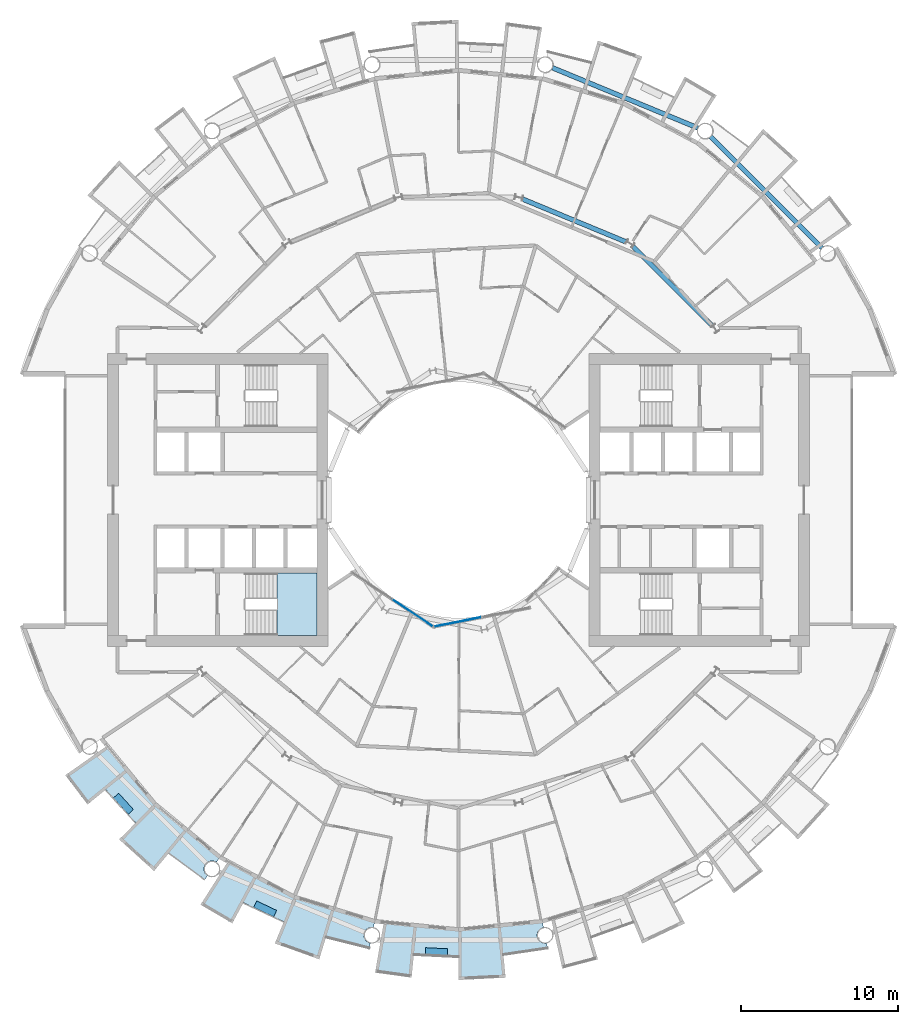
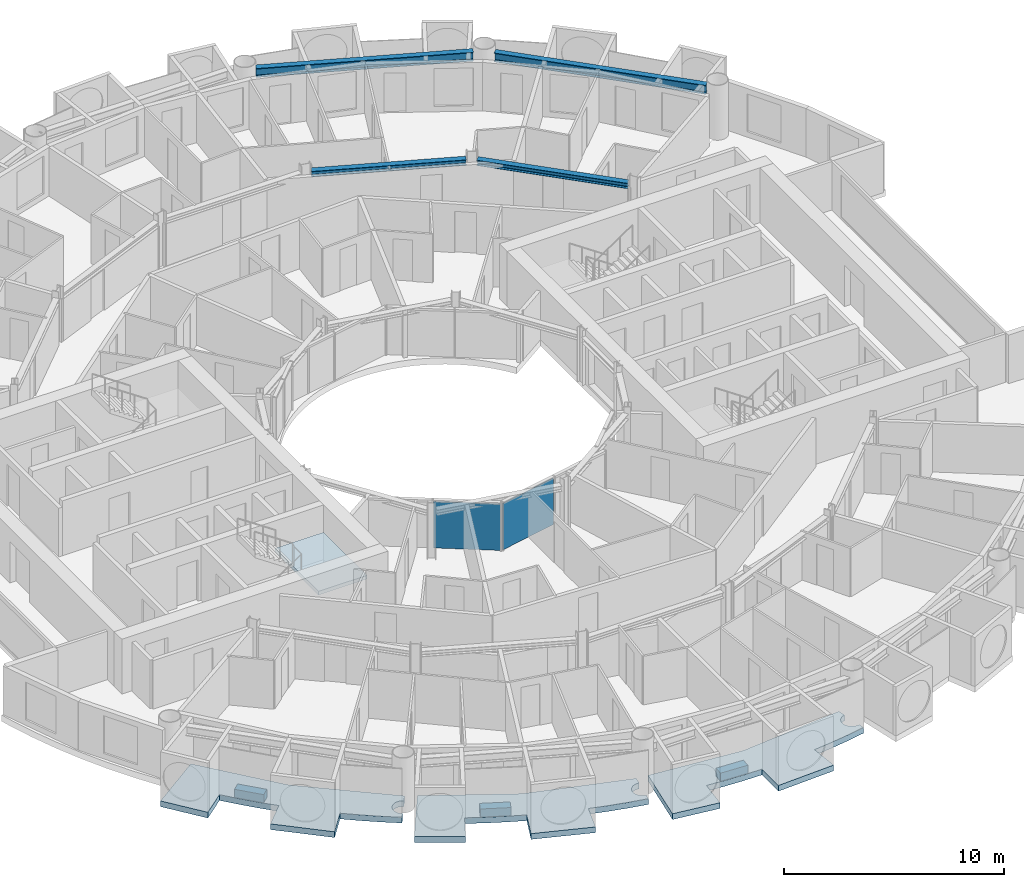
# One storey, part 9 of 26: 7 slabs, 4 beams, 2 plates, 3 elements without a shape of their own.
"""IFC4 building model written with IfcOpenShell, lengths in metres."""

from ifc_helpers import new_model, si_unit, direction, frame, origin, origin_2d, place, context, subcontext, project, spatial, polyline, rectangle, i_section, outline, extrude, material, layer, layer_set, material_profile, profile_set, type_object, element, aggregate, save


model = new_model("IFC4")

# Units and contexts
model_context = context("Model", 3, precision=1e-05, world=origin(), true_north=direction((0.0, 1.0)))
body_context = subcontext(model_context, "Body", "Model", "MODEL_VIEW")
ifc_project = project(units=[si_unit("LENGTHUNIT", "METRE"), si_unit("AREAUNIT", "SQUARE_METRE"), si_unit("VOLUMEUNIT", "CUBIC_METRE"), si_unit("PLANEANGLEUNIT", "RADIAN"), si_unit("MASSUNIT", "GRAM", prefix="KILO")], contexts=[model_context])

# Site, building, storey
site_placement = place(None, origin())
site = spatial("IfcSite", under=ifc_project, at=site_placement, CompositionType="ELEMENT")
building_placement = place(site_placement, origin())
building = spatial("IfcBuilding", under=site, at=building_placement, Name="Maasbend Ring Residences", CompositionType="ELEMENT")
storey_placement = place(building_placement, frame((0.0, 0.0, 72.75)))
storey = spatial("IfcBuildingStorey", under=building, at=storey_placement, Name="L20", CompositionType="ELEMENT", Elevation=72.75)

# Beams
ifc_material_1 = material(Name="Steel S355J2", Category="steel")
ifc_material_profile_1 = material_profile(ifc_material_1, i_section(OverallWidth=0.300048828125, OverallDepth=0.300048828125, WebThickness=0.010986328125, FlangeThickness=0.01904296875, FilletRadius=0.027099609375, at=origin_2d()), Name="HEB 300")
ifc_profile_set_1 = profile_set([ifc_material_profile_1], Name="Steel S355J2")
beam_type_1 = type_object("IfcBeamType", Name="Corridor ring beam HEB 300", PredefinedType="BEAM", material=ifc_profile_set_1)
for number, where, z_axis, x_axis, name in (
    (1, (16.10791015625, 11.078125, 2.550048828125), (-0.707106781187, 0.707106781187, 0.0), (-0.707106781187, -0.707106781187, 0.0), "Corridor ring beam"),
    (2, (10.642333984375, 16.39892578125, 2.550048828125), (-0.923877113721, 0.382689271788, 0.0), (-0.382689271788, -0.923877113721, 0.0), "Corridor ring beam"),
):
    element("IfcBeam", number, at=place(storey_placement, frame(where, z_axis=z_axis, x_axis=x_axis)), inside=storey, type_object=beam_type_1, Name=name, PredefinedType="BEAM", context=body_context, shape_type="SweptSolid", body=[
        extrude(i_section(OverallWidth=0.300048828125, OverallDepth=0.300048828125, WebThickness=0.010986328125, FlangeThickness=0.01904296875, FilletRadius=0.027099609375, at=origin_2d()), origin(), (0.0, 0.0, 1.0), 7.11328125),
    ])
ifc_material_2 = material(Name="Steel S355J2", Category="steel")
ifc_material_profile_2 = material_profile(ifc_material_2, i_section(OverallWidth=0.300048828125, OverallDepth=0.5, WebThickness=0.014404296875, FlangeThickness=0.028076171875, FilletRadius=0.027099609375, at=origin_2d()), Name="HEB 500")
ifc_profile_set_2 = profile_set([ifc_material_profile_2], Name="Steel S355J2")
beam_type_2 = type_object("IfcBeamType", Name="Spandrel ring beam HEB 500", PredefinedType="SPANDREL", material=ifc_profile_set_2)
beam_1_placement = place(storey_placement, frame((23.088134765625, 16.0263671875, 2.449951171875), z_axis=(-0.707106781187, 0.707106781187, 0.0), x_axis=(-0.707106781187, -0.707106781187, 0.0)))
element("IfcBeam", 3, at=beam_1_placement, inside=storey, type_object=beam_type_2, Name="Spandrel ring beam", PredefinedType="SPANDREL", context=body_context, shape_type="SweptSolid", body=[
    extrude(i_section(OverallWidth=0.300048828125, OverallDepth=0.5, WebThickness=0.014404296875, FlangeThickness=0.028076171875, FilletRadius=0.027099609375, at=origin_2d()), origin(), (0.0, 0.0, 1.0), 9.98681640625),
])
beam_2_placement = place(storey_placement, frame((15.19775390625, 23.641845703125, 2.449951171875), z_axis=(-0.923886337442, 0.382667003395, 0.0), x_axis=(-0.382667003395, -0.923886337442, 0.0)))
element("IfcBeam", 4, at=beam_2_placement, inside=storey, type_object=beam_type_2, Name="Spandrel ring beam", PredefinedType="SPANDREL", context=body_context, shape_type="SweptSolid", body=[
    extrude(i_section(OverallWidth=0.300048828125, OverallDepth=0.5, WebThickness=0.014404296875, FlangeThickness=0.028076171875, FilletRadius=0.027099609375, at=origin_2d()), origin(), (0.0, 0.0, 1.0), 9.9873046875),
])

# Stair, slab
ifc_material_3 = material(Name="Concrete C40/50", Category="concrete")
stair_type = type_object("IfcStairType", Name="CORE STAIR 18 RISERS", PredefinedType="HALF_TURN_STAIR", material=ifc_material_3)
stair_placement = place(storey_placement, origin())
stair = element("IfcStair", 5, at=stair_placement, inside=storey, type_object=stair_type, Name="L20 Exit stair ST-W1", PredefinedType="HALF_TURN_STAIR")
ifc_material_4 = material(Name="Concrete C40/50", Category="concrete")
ifc_layer_1 = layer(ifc_material_4, 0.199951171875)
ifc_layer_set_1 = layer_set([ifc_layer_1], Name="Concrete C40/50")
slab_type_1 = type_object("IfcSlabType", Name="CORE STAIR LANDING 200", PredefinedType="LANDING", material=ifc_layer_set_1)
slab_1_placement = place(storey_placement, frame((0.0, 0.0, 1.324951171875)))
slab_1 = element("IfcSlab", 6, at=slab_1_placement, type_object=slab_type_1, Name="ST-W1 landing 1", PredefinedType="LANDING", context=body_context, shape_type="SweptSolid", body=[
    extrude(outline(polyline([(-11.550048828125, -8.60009765625), (-9.0, -8.60009765625), (-9.0, -4.64990234375), (-11.550048828125, -4.64990234375), (-11.550048828125, -8.60009765625)])), origin(), (0.0, 0.0, 1.0), 0.199951171875),
])
aggregate(stair, [slab_1])

# Curtain wall, plate
ifc_material_5 = material(Name="Aluminium and clear glass", Category="aluminium")
ifc_layer_2 = layer(ifc_material_5, 0.179931640625)
ifc_layer_set_2 = layer_set([ifc_layer_2], Name="CW-W")
curtain_wall_type = type_object("IfcCurtainWallType", Name="CW-W", PredefinedType="NOTDEFINED", material=ifc_layer_set_2)
curtain_wall_1_placement = place(storey_placement, origin())
curtain_wall_1 = element("IfcCurtainWall", 7, at=curtain_wall_1_placement, inside=storey, type_object=curtain_wall_type, Name="Well curtain wall S1", PredefinedType="NOTDEFINED")
ifc_material_6 = material(Name="Glass clear laminated", Category="glass")
ifc_layer_3 = layer(ifc_material_6, 0.031982421875)
ifc_layer_set_3 = layer_set([ifc_layer_3], Name="CWP-W")
plate_type = type_object("IfcPlateType", Name="CWP-W", PredefinedType="CURTAIN_PANEL", material=ifc_layer_set_3)
plate_1_placement = place(storey_placement, frame((-2.922119140625, -7.17578125, 0.0), z_axis=(0.0, 0.0, 1.0), x_axis=(0.831469612303, -0.55557023302, 0.0)))
plate_1 = element("IfcPlate", 8, at=plate_1_placement, type_object=plate_type, Name="Glass panel well face", PredefinedType="CURTAIN_PANEL", context=body_context, shape_type="SweptSolid", body=[
    extrude(rectangle(XDim=3.053955078125, YDim=0.031982421875, at=origin_2d()), origin(), (0.0, 0.0, 1.0), 2.580078125),
])
aggregate(curtain_wall_1, [plate_1])

curtain_wall_2_placement = place(storey_placement, origin())
curtain_wall_2 = element("IfcCurtainWall", 9, at=curtain_wall_2_placement, inside=storey, type_object=curtain_wall_type, Name="Well curtain wall S2", PredefinedType="NOTDEFINED")
plate_2_placement = place(storey_placement, frame((-0.04638671875, -7.747802734375, 0.0), z_axis=(0.0, 0.0, 1.0), x_axis=(0.980785280403, 0.195090322016, 0.0)))
plate_2 = element("IfcPlate", 10, at=plate_2_placement, type_object=plate_type, Name="Glass panel well face", PredefinedType="CURTAIN_PANEL", context=body_context, shape_type="SweptSolid", body=[
    extrude(rectangle(XDim=3.053955078125, YDim=0.031982421875, at=origin_2d()), origin(), (0.0, 0.0, 1.0), 2.580078125),
])
aggregate(curtain_wall_2, [plate_2])

# Slabs
ifc_material_7 = material(Name="Planting with climbing greenery")
ifc_layer_4 = layer(ifc_material_7, 0.449951171875)
ifc_layer_set_4 = layer_set([ifc_layer_4], Name="PLANTER-LG")
slab_type_2 = type_object("IfcSlabType", Name="PLANTER-LG", PredefinedType="USERDEFINED", material=ifc_layer_set_4)
slab_2_placement = place(storey_placement, frame((0.0, 0.0, -0.030029296875)))
element("IfcSlab", 11, at=slab_2_placement, inside=storey, type_object=slab_type_2, Name="Planter with climbing greenery 1", ObjectType="PLANTER", PredefinedType="USERDEFINED", context=body_context, shape_type="SweptSolid", body=[
    extrude(outline(polyline([(-21.931884765625, -18.93310546875), (-20.991943359375, -19.969970703125), (-20.657958984375, -19.66796875), (-21.597900390625, -18.631103515625), (-21.931884765625, -18.93310546875)])), origin(), (0.0, 0.0, 1.0), 0.449951171875),
])
slab_3_placement = place(storey_placement, frame((0.0, 0.0, -0.030029296875)))
element("IfcSlab", 12, at=slab_3_placement, inside=storey, type_object=slab_type_2, Name="Planter with climbing greenery 2", ObjectType="PLANTER", PredefinedType="USERDEFINED", context=body_context, shape_type="SweptSolid", body=[
    extrude(outline(polyline([(-13.01708984375, -25.885009765625), (-11.7509765625, -26.48291015625), (-11.55908203125, -26.076904296875), (-12.824951171875, -25.47802734375), (-13.01708984375, -25.885009765625)])), origin(), (0.0, 0.0, 1.0), 0.449951171875),
])
slab_4_placement = place(storey_placement, frame((0.0, 0.0, -0.030029296875)))
element("IfcSlab", 13, at=slab_4_placement, inside=storey, type_object=slab_type_2, Name="Planter with climbing greenery 3", ObjectType="PLANTER", PredefinedType="USERDEFINED", context=body_context, shape_type="SweptSolid", body=[
    extrude(outline(polyline([(-2.1201171875, -28.89599609375), (-0.721923828125, -28.965087890625), (-0.699951171875, -28.514892578125), (-2.097900390625, -28.446044921875), (-2.1201171875, -28.89599609375)])), origin(), (0.0, 0.0, 1.0), 0.449951171875),
])
ifc_material_8 = material(Name="Concrete C40/50", Category="concrete")
ifc_layer_5 = layer(ifc_material_8, 0.199951171875)
ifc_layer_set_5 = layer_set([ifc_layer_5], Name="Concrete C40/50")
slab_type_3 = type_object("IfcSlabType", Name="SL-LOGGIA", PredefinedType="FLOOR", material=ifc_layer_set_5)
slab_5_placement = place(storey_placement, frame((0.0, 0.0, -0.35009765625)))
element("IfcSlab", 14, at=slab_5_placement, inside=storey, type_object=slab_type_3, Name="Loggia floor 2", PredefinedType="FLOOR", context=body_context, shape_type="SweptSolid", body=[
    extrude(outline(polyline([(-12.806884765625, -23.9609375), (-10.447021484375, -25.221923828125), (-10.447021484375, -25.221923828125), (-10.447021484375, -25.221923828125), (-7.886962890625, -25.9990234375), (-5.325927734375, -26.77490234375), (-5.325927734375, -26.77490234375), (-5.325927734375, -26.77490234375), (-5.402099609375, -27.159912109375), (-5.4150390625, -27.157958984375), (-5.427001953125, -27.156005859375), (-5.43896484375, -27.154052734375), (-5.451904296875, -27.153076171875), (-5.464111328125, -27.15087890625), (-5.47705078125, -27.15087890625), (-5.489013671875, -27.14990234375), (-5.501953125, -27.14990234375), (-5.513916015625, -27.14990234375), (-5.52587890625, -27.15087890625), (-5.5390625, -27.15087890625), (-5.551025390625, -27.153076171875), (-5.56396484375, -27.154052734375), (-5.575927734375, -27.156005859375), (-5.587890625, -27.157958984375), (-5.60107421875, -27.159912109375), (-5.613037109375, -27.162109375), (-5.625, -27.1650390625), (-5.636962890625, -27.1689453125), (-5.64892578125, -27.172119140625), (-5.660888671875, -27.176025390625), (-5.673095703125, -27.179931640625), (-5.68408203125, -27.18408203125), (-5.696044921875, -27.18896484375), (-5.70703125, -27.194091796875), (-5.718994140625, -27.198974609375), (-5.72998046875, -27.2041015625), (-5.740966796875, -27.2099609375), (-5.751953125, -27.216064453125), (-5.762939453125, -27.221923828125), (-5.77294921875, -27.22900390625), (-5.783935546875, -27.236083984375), (-5.7939453125, -27.242919921875), (-5.803955078125, -27.25), (-5.81396484375, -27.258056640625), (-5.823974609375, -27.264892578125), (-5.8330078125, -27.27294921875), (-5.843017578125, -27.281982421875), (-5.85205078125, -27.2900390625), (-5.861083984375, -27.299072265625), (-5.868896484375, -27.30810546875), (-5.8779296875, -27.31689453125), (-5.885986328125, -27.325927734375), (-5.89404296875, -27.3359375), (-5.902099609375, -27.345947265625), (-5.909912109375, -27.35498046875), (-5.9169921875, -27.365966796875), (-5.924072265625, -27.3759765625), (-5.930908203125, -27.385986328125), (-5.93701171875, -27.39697265625), (-5.944091796875, -27.407958984375), (-5.949951171875, -27.4189453125), (-5.955078125, -27.429931640625), (-5.9609375, -27.44091796875), (-5.966064453125, -27.451904296875), (-5.970947265625, -27.464111328125), (-5.97509765625, -27.47509765625), (-5.97998046875, -27.487060546875), (-5.98388671875, -27.4990234375), (-5.988037109375, -27.510986328125), (-5.990966796875, -27.52294921875), (-5.993896484375, -27.534912109375), (-5.9970703125, -27.547119140625), (-6.0, -27.55908203125), (-6.001953125, -27.571044921875), (-6.00390625, -27.583984375), (-6.006103515625, -27.595947265625), (-6.007080078125, -27.60791015625), (-6.008056640625, -27.62109375), (-6.009033203125, -27.633056640625), (-6.009033203125, -27.64599609375), (-6.010009765625, -27.657958984375), (-6.009033203125, -27.6708984375), (-6.009033203125, -27.68310546875), (-6.008056640625, -27.695068359375), (-6.007080078125, -27.7080078125), (-6.006103515625, -27.719970703125), (-6.00390625, -27.73291015625), (-6.001953125, -27.7451171875), (-6.0, -27.757080078125), (-5.9970703125, -27.76904296875), (-5.993896484375, -27.781982421875), (-5.990966796875, -27.7939453125), (-5.988037109375, -27.805908203125), (-5.98388671875, -27.81689453125), (-5.97998046875, -27.8291015625), (-5.97509765625, -27.841064453125), (-5.970947265625, -27.85302734375), (-5.966064453125, -27.864013671875), (-5.9609375, -27.875), (-5.955078125, -27.886962890625), (-5.949951171875, -27.89794921875), (-5.944091796875, -27.907958984375), (-5.93701171875, -27.9189453125), (-5.930908203125, -27.929931640625), (-5.924072265625, -27.93994140625), (-5.9169921875, -27.950927734375), (-5.909912109375, -27.9609375), (-5.902099609375, -27.970947265625), (-5.89404296875, -27.97998046875), (-5.885986328125, -27.989990234375), (-5.8779296875, -27.9990234375), (-5.868896484375, -28.008056640625), (-5.861083984375, -28.01708984375), (-5.85205078125, -28.02587890625), (-5.843017578125, -28.034912109375), (-5.8330078125, -28.04296875), (-5.823974609375, -28.051025390625), (-5.81396484375, -28.05908203125), (-5.803955078125, -28.06591796875), (-5.7939453125, -28.072998046875), (-5.783935546875, -28.080078125), (-5.77294921875, -28.0869140625), (-5.762939453125, -28.093994140625), (-5.751953125, -28.10009765625), (-5.740966796875, -28.10595703125), (-5.72998046875, -28.112060546875), (-5.718994140625, -28.116943359375), (-5.70703125, -28.123046875), (-5.696044921875, -28.126953125), (-5.68408203125, -28.132080078125), (-5.673095703125, -28.135986328125), (-5.660888671875, -28.139892578125), (-5.64892578125, -28.14404296875), (-5.636962890625, -28.14794921875), (-5.625, -28.15087890625), (-5.613037109375, -28.154052734375), (-5.60107421875, -28.156005859375), (-5.657958984375, -28.443115234375), (-5.657958984375, -28.443115234375), (-5.657958984375, -28.443115234375), (-6.5849609375, -28.241943359375), (-6.5849609375, -28.241943359375), (-7.506103515625, -28.011962890625), (-7.506103515625, -28.011962890625), (-8.41796875, -27.7509765625), (-8.41796875, -27.7509765625), (-8.41796875, -27.7509765625), (-8.41796875, -27.7509765625), (-8.41796875, -27.7509765625), (-8.41796875, -27.7509765625), (-8.41796875, -27.7509765625), (-8.41796875, -27.7509765625), (-8.41796875, -27.7509765625), (-8.41796875, -27.7509765625), (-8.41796875, -27.751953125), (-8.41796875, -27.751953125), (-8.41796875, -27.751953125), (-8.41796875, -27.751953125), (-8.41796875, -27.751953125), (-8.41796875, -27.751953125), (-8.41796875, -27.751953125), (-8.85400390625, -29.18701171875), (-8.85400390625, -29.18701171875), (-8.85400390625, -29.18701171875), (-11.672119140625, -28.177978515625), (-11.672119140625, -28.177978515625), (-11.672119140625, -28.177978515625), (-11.097900390625, -26.79296875), (-11.097900390625, -26.79296875), (-11.097900390625, -26.79296875), (-11.097900390625, -26.79296875), (-11.097900390625, -26.79296875), (-11.097900390625, -26.79296875), (-11.097900390625, -26.79296875), (-11.097900390625, -26.79296875), (-11.097900390625, -26.79296875), (-11.097900390625, -26.79296875), (-11.097900390625, -26.7919921875), (-11.097900390625, -26.7919921875), (-11.097900390625, -26.7919921875), (-11.097900390625, -26.7919921875), (-11.097900390625, -26.7919921875), (-11.097900390625, -26.7919921875), (-11.097900390625, -26.7919921875), (-11.968994140625, -26.4150390625), (-11.968994140625, -26.4150390625), (-12.825927734375, -26.009033203125), (-12.825927734375, -26.009033203125), (-13.669921875, -25.575927734375), (-13.669921875, -25.575927734375), (-13.669921875, -25.575927734375), (-13.669921875, -25.575927734375), (-13.669921875, -25.575927734375), (-13.669921875, -25.575927734375), (-13.669921875, -25.575927734375), (-13.669921875, -25.575927734375), (-13.669921875, -25.575927734375), (-13.669921875, -25.575927734375), (-13.6708984375, -25.575927734375), (-13.6708984375, -25.575927734375), (-13.6708984375, -25.575927734375), (-13.6708984375, -25.575927734375), (-13.6708984375, -25.575927734375), (-13.6708984375, -25.575927734375), (-13.6708984375, -25.575927734375), (-14.3779296875, -26.89892578125), (-14.3779296875, -26.89892578125), (-14.3779296875, -26.89892578125), (-16.39404296875, -25.718994140625), (-16.39404296875, -25.718994140625), (-16.39404296875, -25.718994140625), (-14.64599609375, -22.97705078125), (-14.64599609375, -22.97705078125), (-14.64599609375, -22.97705078125), (-12.806884765625, -23.9609375)])), origin(), (0.0, 0.0, 1.0), 0.320068359375),
])
slab_6_placement = place(storey_placement, frame((0.0, 0.0, -0.35009765625)))
element("IfcSlab", 15, at=slab_6_placement, inside=storey, type_object=slab_type_3, Name="Loggia floor 3", PredefinedType="FLOOR", context=body_context, shape_type="SweptSolid", body=[
    extrude(outline(polyline([(-2.6630859375, -27.0380859375), (0.0, -27.300048828125), (0.0, -27.300048828125), (0.0, -27.300048828125), (2.6630859375, -27.0380859375), (5.325927734375, -26.77490234375), (5.325927734375, -26.77490234375), (5.325927734375, -26.77490234375), (5.402099609375, -27.159912109375), (5.402099609375, -27.159912109375), (5.389892578125, -27.162109375), (5.3779296875, -27.1650390625), (5.365966796875, -27.1689453125), (5.35400390625, -27.172119140625), (5.342041015625, -27.176025390625), (5.330078125, -27.179931640625), (5.319091796875, -27.18408203125), (5.306884765625, -27.18896484375), (5.2958984375, -27.194091796875), (5.283935546875, -27.198974609375), (5.27294921875, -27.2041015625), (5.261962890625, -27.2099609375), (5.2509765625, -27.216064453125), (5.239990234375, -27.221923828125), (5.22998046875, -27.22900390625), (5.218994140625, -27.236083984375), (5.208984375, -27.242919921875), (5.198974609375, -27.25), (5.18896484375, -27.258056640625), (5.178955078125, -27.264892578125), (5.169921875, -27.27294921875), (5.159912109375, -27.281982421875), (5.15087890625, -27.2900390625), (5.14208984375, -27.299072265625), (5.134033203125, -27.30810546875), (5.125, -27.31689453125), (5.116943359375, -27.325927734375), (5.10888671875, -27.3359375), (5.10107421875, -27.345947265625), (5.093017578125, -27.35498046875), (5.0859375, -27.365966796875), (5.0791015625, -27.3759765625), (5.072021484375, -27.385986328125), (5.06591796875, -27.39697265625), (5.05908203125, -27.407958984375), (5.052978515625, -27.4189453125), (5.048095703125, -27.429931640625), (5.0419921875, -27.44091796875), (5.037109375, -27.451904296875), (5.031982421875, -27.464111328125), (5.028076171875, -27.47509765625), (5.02294921875, -27.487060546875), (5.01904296875, -27.4990234375), (5.014892578125, -27.510986328125), (5.011962890625, -27.52294921875), (5.009033203125, -27.534912109375), (5.006103515625, -27.547119140625), (5.0029296875, -27.55908203125), (5.0009765625, -27.571044921875), (4.9990234375, -27.583984375), (4.9970703125, -27.595947265625), (4.99609375, -27.60791015625), (4.9951171875, -27.62109375), (4.993896484375, -27.633056640625), (4.993896484375, -27.64599609375), (4.993896484375, -27.657958984375), (4.993896484375, -27.6708984375), (4.993896484375, -27.68310546875), (4.9951171875, -27.695068359375), (4.99609375, -27.7080078125), (4.9970703125, -27.719970703125), (4.9990234375, -27.73291015625), (5.0009765625, -27.7451171875), (5.0029296875, -27.757080078125), (5.006103515625, -27.76904296875), (5.009033203125, -27.781982421875), (5.011962890625, -27.7939453125), (5.014892578125, -27.805908203125), (5.01904296875, -27.81689453125), (5.02294921875, -27.8291015625), (5.028076171875, -27.841064453125), (5.031982421875, -27.85302734375), (5.037109375, -27.864013671875), (5.0419921875, -27.875), (5.048095703125, -27.886962890625), (5.052978515625, -27.89794921875), (5.05908203125, -27.907958984375), (5.06591796875, -27.9189453125), (5.072021484375, -27.929931640625), (5.0791015625, -27.93994140625), (5.0859375, -27.950927734375), (5.093017578125, -27.9609375), (5.10107421875, -27.970947265625), (5.10888671875, -27.97998046875), (5.116943359375, -27.989990234375), (5.125, -27.9990234375), (5.134033203125, -28.008056640625), (5.14208984375, -28.01708984375), (5.15087890625, -28.02587890625), (5.159912109375, -28.034912109375), (5.169921875, -28.04296875), (5.178955078125, -28.051025390625), (5.18896484375, -28.05908203125), (5.198974609375, -28.06591796875), (5.208984375, -28.072998046875), (5.218994140625, -28.080078125), (5.22998046875, -28.0869140625), (5.239990234375, -28.093994140625), (5.2509765625, -28.10009765625), (5.261962890625, -28.10595703125), (5.27294921875, -28.112060546875), (5.283935546875, -28.116943359375), (5.2958984375, -28.123046875), (5.306884765625, -28.126953125), (5.319091796875, -28.132080078125), (5.330078125, -28.135986328125), (5.342041015625, -28.139892578125), (5.35400390625, -28.14404296875), (5.365966796875, -28.14794921875), (5.3779296875, -28.15087890625), (5.389892578125, -28.154052734375), (5.402099609375, -28.156005859375), (5.4150390625, -28.158935546875), (5.427001953125, -28.160888671875), (5.43896484375, -28.162109375), (5.451904296875, -28.1640625), (5.464111328125, -28.1650390625), (5.47705078125, -28.1650390625), (5.489013671875, -28.166015625), (5.501953125, -28.166015625), (5.513916015625, -28.166015625), (5.52587890625, -28.1650390625), (5.5390625, -28.1650390625), (5.551025390625, -28.1640625), (5.56396484375, -28.162109375), (5.575927734375, -28.160888671875), (5.587890625, -28.158935546875), (5.60107421875, -28.156005859375), (5.60107421875, -28.156005859375), (5.657958984375, -28.443115234375), (5.657958984375, -28.443115234375), (5.657958984375, -28.443115234375), (4.72412109375, -28.613037109375), (4.72412109375, -28.613037109375), (3.784912109375, -28.751953125), (3.784912109375, -28.751953125), (2.843017578125, -28.860107421875), (2.843017578125, -28.860107421875), (2.843017578125, -28.860107421875), (2.843017578125, -28.860107421875), (2.843017578125, -28.860107421875), (2.843017578125, -28.860107421875), (2.843017578125, -28.860107421875), (2.843017578125, -28.860107421875), (2.843017578125, -28.860107421875), (2.843017578125, -28.861083984375), (2.843017578125, -28.861083984375), (2.843017578125, -28.861083984375), (2.843017578125, -28.861083984375), (2.843017578125, -28.861083984375), (2.843017578125, -28.861083984375), (2.843017578125, -28.861083984375), (2.843017578125, -28.861083984375), (2.989990234375, -30.35302734375), (2.989990234375, -30.35302734375), (2.989990234375, -30.35302734375), (0.0, -30.5), (0.0, -30.5), (0.0, -30.5), (0.0, -29.0), (0.0, -29.0), (0.0, -29.0), (0.0, -29.0), (0.0, -29.0), (0.0, -29.0), (0.0, -29.0), (0.0, -29.0), (0.0, -29.0), (0.0, -29.0), (0.0, -29.0), (0.0, -29.0), (0.0, -29.0), (0.0, -29.0), (0.0, -29.0), (0.0, -29.0), (0.0, -29.0), (-0.948974609375, -28.98388671875), (-0.948974609375, -28.98388671875), (-1.89697265625, -28.93798828125), (-1.89697265625, -28.93798828125), (-2.842041015625, -28.860107421875), (-2.842041015625, -28.860107421875), (-2.842041015625, -28.860107421875), (-2.842041015625, -28.860107421875), (-2.842041015625, -28.860107421875), (-2.842041015625, -28.860107421875), (-2.842041015625, -28.860107421875), (-2.842041015625, -28.860107421875), (-2.842041015625, -28.861083984375), (-2.842041015625, -28.861083984375), (-2.842041015625, -28.861083984375), (-2.842041015625, -28.861083984375), (-2.842041015625, -28.861083984375), (-2.843017578125, -28.861083984375), (-2.843017578125, -28.861083984375), (-2.843017578125, -28.861083984375), (-2.843017578125, -28.861083984375), (-2.989990234375, -30.35302734375), (-2.989990234375, -30.35302734375), (-2.989990234375, -30.35302734375), (-5.303955078125, -30.034912109375), (-5.303955078125, -30.034912109375), (-5.303955078125, -30.034912109375), (-4.739013671875, -26.8330078125), (-4.739013671875, -26.8330078125), (-4.739013671875, -26.8330078125), (-2.6630859375, -27.0380859375)])), origin(), (0.0, 0.0, 1.0), 0.320068359375),
])
slab_7_placement = place(storey_placement, frame((0.0, 0.0, -0.35009765625)))
element("IfcSlab", 16, at=slab_7_placement, inside=storey, type_object=slab_type_3, Name="Loggia floor 5", PredefinedType="FLOOR", context=body_context, shape_type="SweptSolid", body=[
    extrude(outline(polyline([(-21.001953125, -17.236083984375), (-19.303955078125, -19.303955078125), (-19.303955078125, -19.303955078125), (-19.303955078125, -19.303955078125), (-17.236083984375, -21.001953125), (-15.1669921875, -22.698974609375), (-15.1669921875, -22.698974609375), (-15.1669921875, -22.698974609375), (-15.385009765625, -23.02490234375), (-15.385009765625, -23.02490234375), (-15.39501953125, -23.01806640625), (-15.406005859375, -23.011962890625), (-15.4169921875, -23.0048828125), (-15.427978515625, -22.9990234375), (-15.43896484375, -22.993896484375), (-15.449951171875, -22.988037109375), (-15.4609375, -22.98291015625), (-15.472900390625, -22.97802734375), (-15.48388671875, -22.972900390625), (-15.49609375, -22.968994140625), (-15.508056640625, -22.965087890625), (-15.52001953125, -22.9609375), (-15.531982421875, -22.9580078125), (-15.5439453125, -22.955078125), (-15.555908203125, -22.951904296875), (-15.568115234375, -22.948974609375), (-15.580078125, -22.947021484375), (-15.593017578125, -22.945068359375), (-15.60498046875, -22.943115234375), (-15.616943359375, -22.94189453125), (-15.6298828125, -22.94091796875), (-15.64208984375, -22.93994140625), (-15.655029296875, -22.93994140625), (-15.6669921875, -22.93896484375), (-15.679931640625, -22.93994140625), (-15.69189453125, -22.93994140625), (-15.7041015625, -22.94091796875), (-15.717041015625, -22.94189453125), (-15.72900390625, -22.943115234375), (-15.741943359375, -22.945068359375), (-15.75390625, -22.947021484375), (-15.76611328125, -22.948974609375), (-15.778076171875, -22.951904296875), (-15.791015625, -22.955078125), (-15.802978515625, -22.9580078125), (-15.81494140625, -22.9609375), (-15.825927734375, -22.965087890625), (-15.837890625, -22.968994140625), (-15.85009765625, -22.972900390625), (-15.862060546875, -22.97802734375), (-15.873046875, -22.98291015625), (-15.884033203125, -22.988037109375), (-15.89599609375, -22.993896484375), (-15.906982421875, -22.9990234375), (-15.9169921875, -23.0048828125), (-15.927978515625, -23.011962890625), (-15.93896484375, -23.01806640625), (-15.948974609375, -23.02490234375), (-15.9599609375, -23.031982421875), (-15.969970703125, -23.0390625), (-15.97998046875, -23.047119140625), (-15.989013671875, -23.054931640625), (-15.9990234375, -23.06298828125), (-16.008056640625, -23.071044921875), (-16.01708984375, -23.0791015625), (-16.02587890625, -23.087890625), (-16.034912109375, -23.096923828125), (-16.0439453125, -23.10595703125), (-16.052001953125, -23.115966796875), (-16.06005859375, -23.125), (-16.068115234375, -23.135009765625), (-16.074951171875, -23.14501953125), (-16.08203125, -23.155029296875), (-16.089111328125, -23.1650390625), (-16.095947265625, -23.176025390625), (-16.10302734375, -23.18603515625), (-16.10888671875, -23.197021484375), (-16.114990234375, -23.2080078125), (-16.12109375, -23.218994140625), (-16.1259765625, -23.22998046875), (-16.132080078125, -23.241943359375), (-16.135986328125, -23.2529296875), (-16.14111328125, -23.264892578125), (-16.14501953125, -23.27587890625), (-16.14892578125, -23.2880859375), (-16.153076171875, -23.300048828125), (-16.156982421875, -23.31201171875), (-16.159912109375, -23.323974609375), (-16.1630859375, -23.3359375), (-16.1650390625, -23.347900390625), (-16.16796875, -23.361083984375), (-16.169921875, -23.373046875), (-16.1708984375, -23.385009765625), (-16.173095703125, -23.39794921875), (-16.174072265625, -23.409912109375), (-16.174072265625, -23.422119140625), (-16.175048828125, -23.43505859375), (-16.175048828125, -23.447021484375), (-16.175048828125, -23.4599609375), (-16.174072265625, -23.471923828125), (-16.174072265625, -23.485107421875), (-16.173095703125, -23.4970703125), (-16.1708984375, -23.510009765625), (-16.169921875, -23.52197265625), (-16.16796875, -23.533935546875), (-16.1650390625, -23.547119140625), (-16.1630859375, -23.55908203125), (-16.159912109375, -23.571044921875), (-16.156982421875, -23.5830078125), (-16.153076171875, -23.594970703125), (-16.14892578125, -23.60693359375), (-16.14501953125, -23.618896484375), (-16.14111328125, -23.6298828125), (-16.135986328125, -23.64208984375), (-16.132080078125, -23.653076171875), (-16.1259765625, -23.6650390625), (-16.12109375, -23.676025390625), (-16.114990234375, -23.68701171875), (-16.10888671875, -23.697998046875), (-16.10302734375, -23.708984375), (-16.095947265625, -23.718994140625), (-16.089111328125, -23.72998046875), (-16.08203125, -23.739990234375), (-16.074951171875, -23.75), (-16.068115234375, -23.760009765625), (-16.06005859375, -23.77001953125), (-16.052001953125, -23.779052734375), (-16.0439453125, -23.7890625), (-16.034912109375, -23.798095703125), (-16.02587890625, -23.806884765625), (-16.01708984375, -23.81494140625), (-16.008056640625, -23.823974609375), (-15.9990234375, -23.83203125), (-15.989013671875, -23.840087890625), (-15.97998046875, -23.847900390625), (-15.969970703125, -23.85498046875), (-15.9599609375, -23.863037109375), (-15.948974609375, -23.8701171875), (-15.948974609375, -23.8701171875), (-16.112060546875, -24.113037109375), (-16.112060546875, -24.113037109375), (-16.112060546875, -24.113037109375), (-16.89208984375, -23.572998046875), (-16.89208984375, -23.572998046875), (-17.654052734375, -23.007080078125), (-17.654052734375, -23.007080078125), (-18.39697265625, -22.41796875), (-18.39697265625, -22.41796875), (-18.39697265625, -22.41796875), (-18.39697265625, -22.41796875), (-18.39697265625, -22.41796875), (-18.39697265625, -22.41796875), (-18.39697265625, -22.41796875), (-18.39697265625, -22.41796875), (-18.39697265625, -22.41796875), (-18.39697265625, -22.41796875), (-18.39697265625, -22.41796875), (-18.39794921875, -22.41796875), (-18.39794921875, -22.41796875), (-18.39794921875, -22.41796875), (-18.39794921875, -22.41796875), (-18.39794921875, -22.41796875), (-18.39794921875, -22.41796875), (-19.34912109375, -23.576904296875), (-19.34912109375, -23.576904296875), (-19.34912109375, -23.576904296875), (-21.56689453125, -21.56689453125), (-21.56689453125, -21.56689453125), (-21.56689453125, -21.56689453125), (-20.506103515625, -20.506103515625), (-20.506103515625, -20.506103515625), (-20.506103515625, -20.506103515625), (-20.506103515625, -20.506103515625), (-20.506103515625, -20.506103515625), (-20.506103515625, -20.506103515625), (-20.506103515625, -20.506103515625), (-20.506103515625, -20.506103515625), (-20.506103515625, -20.506103515625), (-20.506103515625, -20.506103515625), (-20.506103515625, -20.506103515625), (-20.506103515625, -20.506103515625), (-20.506103515625, -20.506103515625), (-20.506103515625, -20.506103515625), (-20.506103515625, -20.506103515625), (-20.506103515625, -20.506103515625), (-20.506103515625, -20.506103515625), (-21.166015625, -19.823974609375), (-21.166015625, -19.823974609375), (-21.802978515625, -19.12109375), (-21.802978515625, -19.12109375), (-22.4169921875, -18.39794921875), (-22.4169921875, -18.39794921875), (-22.4169921875, -18.39794921875), (-22.4169921875, -18.39794921875), (-22.4169921875, -18.39794921875), (-22.4169921875, -18.39794921875), (-22.4169921875, -18.39794921875), (-22.4169921875, -18.39794921875), (-22.4169921875, -18.39794921875), (-22.4169921875, -18.39794921875), (-22.4169921875, -18.39794921875), (-22.4169921875, -18.39794921875), (-22.41796875, -18.39794921875), (-22.41796875, -18.39794921875), (-22.41796875, -18.39794921875), (-22.41796875, -18.39794921875), (-22.41796875, -18.39794921875), (-23.576904296875, -19.34912109375), (-23.576904296875, -19.34912109375), (-23.576904296875, -19.34912109375), (-24.989013671875, -17.488037109375), (-24.989013671875, -17.488037109375), (-24.989013671875, -17.488037109375), (-22.324951171875, -15.623046875), (-22.324951171875, -15.623046875), (-22.324951171875, -15.623046875), (-21.001953125, -17.236083984375)])), origin(), (0.0, 0.0, 1.0), 0.320068359375),
])

save(model, "model.ifc")
